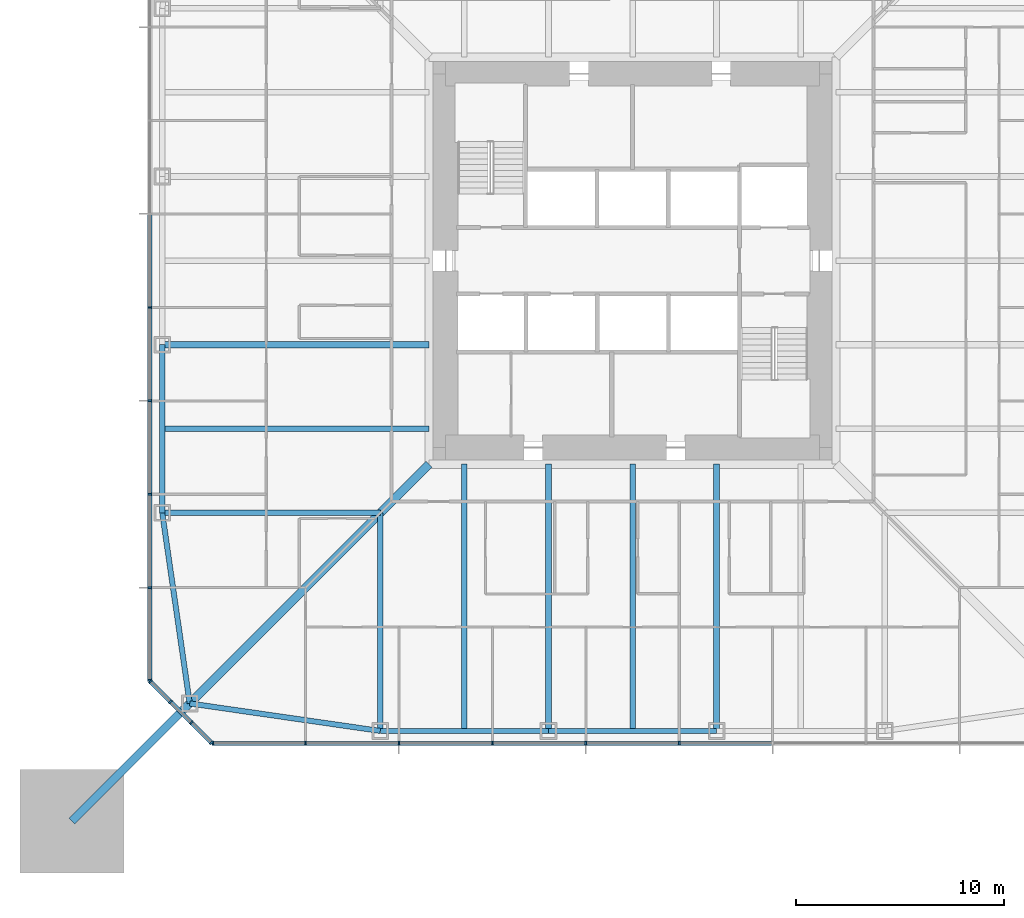
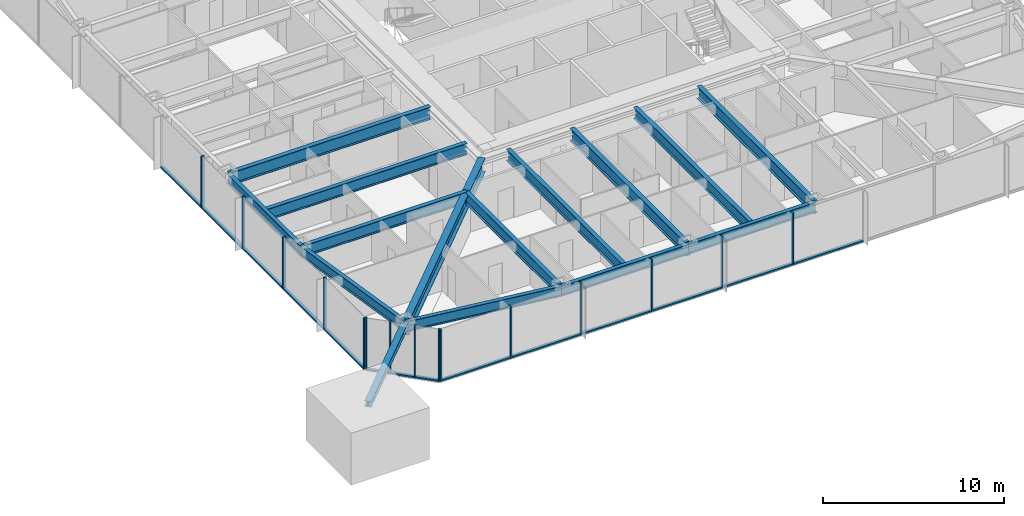
# One storey, part 3 of 26: 30 members, 14 beams, 3 elements without a shape of their own.
"""IFC4 building model written with IfcOpenShell, lengths in metres."""

from ifc_helpers import new_model, si_unit, direction, frame, origin, origin_2d, place, context, subcontext, project, spatial, rectangle, i_section, extrude, material, material_profile, profile_set, type_object, element, aggregate, save


model = new_model("IFC4")

# Units and contexts
model_context = context("Model", 3, precision=1e-05, world=origin(), true_north=direction((0.0, 1.0)))
body_context = subcontext(model_context, "Body", "Model", "MODEL_VIEW")
ifc_project = project(units=[si_unit("LENGTHUNIT", "METRE"), si_unit("AREAUNIT", "SQUARE_METRE"), si_unit("VOLUMEUNIT", "CUBIC_METRE"), si_unit("PLANEANGLEUNIT", "RADIAN"), si_unit("MASSUNIT", "GRAM", prefix="KILO")], contexts=[model_context])

# Site, building, storey
site_placement = place(None, origin())
site = spatial("IfcSite", under=ifc_project, at=site_placement, CompositionType="ELEMENT")
building_placement = place(site_placement, origin())
building = spatial("IfcBuilding", under=site, at=building_placement, Name="Iwan Alto Co-Living Towers", CompositionType="ELEMENT")
storey_placement = place(building_placement, frame((0.0, 0.0, 57.0)))
storey = spatial("IfcBuildingStorey", under=building, at=storey_placement, Name="L15", CompositionType="ELEMENT", Elevation=57.0)

# Curtain wall, members
ifc_material_1 = material(Name="Bronze aluminium unitised frame", Category="aluminium")
curtain_wall_type_1 = type_object("IfcCurtainWallType", Name="CURTAIN WALL CW-A", PredefinedType="NOTDEFINED", material=ifc_material_1)
curtain_wall_1_placement = place(storey_placement, origin())
curtain_wall_1 = element("IfcCurtainWall", 1, at=curtain_wall_1_placement, inside=storey, type_object=curtain_wall_type_1, Name="T1 curtain wall S L15", PredefinedType="NOTDEFINED")
ifc_material_2 = material(Name="Aluminium 6063-T6 bronze anodised", Category="aluminium")
ifc_material_profile_1 = material_profile(ifc_material_2, rectangle(XDim=0.199951171875, YDim=0.080078125, at=origin_2d()), Name="AL 80X200")
ifc_profile_set_1 = profile_set([ifc_material_profile_1], Name="Aluminium 6063-T6 bronze anodised")
member_type_1 = type_object("IfcMemberType", Name="CW-A MULLION 80X200", PredefinedType="MULLION", material=ifc_profile_set_1)
member_1_placement = place(storey_placement, frame((-20.2099609375, -23.25, 0.0), z_axis=(0.0, 0.0, 1.0), x_axis=(0.0, 1.0, 0.0)))
member_1 = element("IfcMember", 2, at=member_1_placement, type_object=member_type_1, Name="CW-A mullion 1", PredefinedType="MULLION", context=body_context, shape_type="SweptSolid", body=[
    extrude(rectangle(XDim=0.199951171875, YDim=0.080078125, at=origin_2d()), origin(), (0.0, 0.0, 1.0), 3.5),
])
member_2_placement = place(storey_placement, frame((-15.75, -23.25, 0.0), z_axis=(0.0, 0.0, 1.0), x_axis=(0.0, 1.0, 0.0)))
member_2 = element("IfcMember", 3, at=member_2_placement, type_object=member_type_1, Name="CW-A mullion 2", PredefinedType="MULLION", context=body_context, shape_type="SweptSolid", body=[
    extrude(rectangle(XDim=0.199951171875, YDim=0.080078125, at=origin_2d()), origin(), (0.0, 0.0, 1.0), 3.5),
])
member_3_placement = place(storey_placement, frame((-11.25, -23.25, 0.0), z_axis=(0.0, 0.0, 1.0), x_axis=(0.0, 1.0, 0.0)))
member_3 = element("IfcMember", 4, at=member_3_placement, type_object=member_type_1, Name="CW-A mullion 3", PredefinedType="MULLION", context=body_context, shape_type="SweptSolid", body=[
    extrude(rectangle(XDim=0.199951171875, YDim=0.080078125, at=origin_2d()), origin(), (0.0, 0.0, 1.0), 3.5),
])
member_4_placement = place(storey_placement, frame((-6.75, -23.25, 0.0), z_axis=(0.0, 0.0, 1.0), x_axis=(0.0, 1.0, 0.0)))
member_4 = element("IfcMember", 5, at=member_4_placement, type_object=member_type_1, Name="CW-A mullion 4", PredefinedType="MULLION", context=body_context, shape_type="SweptSolid", body=[
    extrude(rectangle(XDim=0.199951171875, YDim=0.080078125, at=origin_2d()), origin(), (0.0, 0.0, 1.0), 3.5),
])
member_5_placement = place(storey_placement, frame((-2.25, -23.25, 0.0), z_axis=(0.0, 0.0, 1.0), x_axis=(0.0, 1.0, 0.0)))
member_5 = element("IfcMember", 6, at=member_5_placement, type_object=member_type_1, Name="CW-A mullion 5", PredefinedType="MULLION", context=body_context, shape_type="SweptSolid", body=[
    extrude(rectangle(XDim=0.199951171875, YDim=0.080078125, at=origin_2d()), origin(), (0.0, 0.0, 1.0), 3.5),
])
member_6_placement = place(storey_placement, frame((2.25, -23.25, 0.0), z_axis=(0.0, 0.0, 1.0), x_axis=(0.0, 1.0, 0.0)))
member_6 = element("IfcMember", 7, at=member_6_placement, type_object=member_type_1, Name="CW-A mullion 6", PredefinedType="MULLION", context=body_context, shape_type="SweptSolid", body=[
    extrude(rectangle(XDim=0.199951171875, YDim=0.080078125, at=origin_2d()), origin(), (0.0, 0.0, 1.0), 3.5),
])

curtain_wall_2_placement = place(storey_placement, origin())
curtain_wall_2 = element("IfcCurtainWall", 8, at=curtain_wall_2_placement, inside=storey, type_object=curtain_wall_type_1, Name="T1 curtain wall W L15", PredefinedType="NOTDEFINED")
member_7_placement = place(storey_placement, frame((-23.25, -2.25, 0.0), z_axis=(0.0, 0.0, 1.0), x_axis=(1.0, 0.0, 0.0)))
member_7 = element("IfcMember", 9, at=member_7_placement, type_object=member_type_1, Name="CW-A mullion 6", PredefinedType="MULLION", context=body_context, shape_type="SweptSolid", body=[
    extrude(rectangle(XDim=0.199951171875, YDim=0.080078125, at=origin_2d()), origin(), (0.0, 0.0, 1.0), 3.5),
])
member_8_placement = place(storey_placement, frame((-23.25, -6.75, 0.0), z_axis=(0.0, 0.0, 1.0), x_axis=(1.0, 0.0, 0.0)))
member_8 = element("IfcMember", 10, at=member_8_placement, type_object=member_type_1, Name="CW-A mullion 7", PredefinedType="MULLION", context=body_context, shape_type="SweptSolid", body=[
    extrude(rectangle(XDim=0.199951171875, YDim=0.080078125, at=origin_2d()), origin(), (0.0, 0.0, 1.0), 3.5),
])
member_9_placement = place(storey_placement, frame((-23.25, -11.25, 0.0), z_axis=(0.0, 0.0, 1.0), x_axis=(1.0, 0.0, 0.0)))
member_9 = element("IfcMember", 11, at=member_9_placement, type_object=member_type_1, Name="CW-A mullion 8", PredefinedType="MULLION", context=body_context, shape_type="SweptSolid", body=[
    extrude(rectangle(XDim=0.199951171875, YDim=0.080078125, at=origin_2d()), origin(), (0.0, 0.0, 1.0), 3.5),
])
member_10_placement = place(storey_placement, frame((-23.25, -15.75, 0.0), z_axis=(0.0, 0.0, 1.0), x_axis=(1.0, 0.0, 0.0)))
member_10 = element("IfcMember", 12, at=member_10_placement, type_object=member_type_1, Name="CW-A mullion 9", PredefinedType="MULLION", context=body_context, shape_type="SweptSolid", body=[
    extrude(rectangle(XDim=0.199951171875, YDim=0.080078125, at=origin_2d()), origin(), (0.0, 0.0, 1.0), 3.5),
])
member_11_placement = place(storey_placement, frame((-23.25, -20.2099609375, 0.0), z_axis=(0.0, 0.0, 1.0), x_axis=(1.0, 0.0, 0.0)))
member_11 = element("IfcMember", 13, at=member_11_placement, type_object=member_type_1, Name="CW-A mullion 10", PredefinedType="MULLION", context=body_context, shape_type="SweptSolid", body=[
    extrude(rectangle(XDim=0.199951171875, YDim=0.080078125, at=origin_2d()), origin(), (0.0, 0.0, 1.0), 3.5),
])

# Member
ifc_material_3 = material(Name="Aluminium 6063-T6 bronze anodised", Category="aluminium")
ifc_material_profile_2 = material_profile(ifc_material_3, rectangle(XDim=0.199951171875, YDim=0.10009765625, at=origin_2d()), Name="AL 200X100")
ifc_profile_set_2 = profile_set([ifc_material_profile_2], Name="Aluminium 6063-T6 bronze anodised")
member_type_2 = type_object("IfcMemberType", Name="CW-A TRANSOM 200X100", PredefinedType="USERDEFINED", material=ifc_profile_set_2)
member_12_placement = place(storey_placement, frame((-20.169921875, -23.25, 0.050048828125), z_axis=(1.0, 0.0, 0.0), x_axis=(0.0, 1.0, 0.0)))
member_12 = element("IfcMember", 14, at=member_12_placement, type_object=member_type_2, Name="CW-A transom 1.1", ObjectType="TRANSOM", PredefinedType="USERDEFINED", context=body_context, shape_type="SweptSolid", body=[
    extrude(rectangle(XDim=0.199951171875, YDim=0.10009765625, at=origin_2d()), origin(), (0.0, 0.0, 1.0), 4.3798828125),
])

member_13_placement = place(storey_placement, frame((-15.7099609375, -23.25, 0.050048828125), z_axis=(1.0, 0.0, 0.0), x_axis=(0.0, 1.0, 0.0)))
member_13 = element("IfcMember", 15, at=member_13_placement, type_object=member_type_2, Name="CW-A transom 2.1", ObjectType="TRANSOM", PredefinedType="USERDEFINED", context=body_context, shape_type="SweptSolid", body=[
    extrude(rectangle(XDim=0.199951171875, YDim=0.10009765625, at=origin_2d()), origin(), (0.0, 0.0, 1.0), 4.419921875),
])

member_14_placement = place(storey_placement, frame((-11.2099609375, -23.25, 0.050048828125), z_axis=(1.0, 0.0, 0.0), x_axis=(0.0, 1.0, 0.0)))
member_14 = element("IfcMember", 16, at=member_14_placement, type_object=member_type_2, Name="CW-A transom 3.1", ObjectType="TRANSOM", PredefinedType="USERDEFINED", context=body_context, shape_type="SweptSolid", body=[
    extrude(rectangle(XDim=0.199951171875, YDim=0.10009765625, at=origin_2d()), origin(), (0.0, 0.0, 1.0), 4.419921875),
])

member_15_placement = place(storey_placement, frame((-6.7099609375, -23.25, 0.050048828125), z_axis=(1.0, 0.0, 0.0), x_axis=(0.0, 1.0, 0.0)))
member_15 = element("IfcMember", 17, at=member_15_placement, type_object=member_type_2, Name="CW-A transom 4.1", ObjectType="TRANSOM", PredefinedType="USERDEFINED", context=body_context, shape_type="SweptSolid", body=[
    extrude(rectangle(XDim=0.199951171875, YDim=0.10009765625, at=origin_2d()), origin(), (0.0, 0.0, 1.0), 4.419921875),
])

member_16_placement = place(storey_placement, frame((-2.2099609375, -23.25, 0.050048828125), z_axis=(1.0, 0.0, 0.0), x_axis=(0.0, 1.0, 0.0)))
member_16 = element("IfcMember", 18, at=member_16_placement, type_object=member_type_2, Name="CW-A transom 5.1", ObjectType="TRANSOM", PredefinedType="USERDEFINED", context=body_context, shape_type="SweptSolid", body=[
    extrude(rectangle(XDim=0.199951171875, YDim=0.10009765625, at=origin_2d()), origin(), (0.0, 0.0, 1.0), 4.419921875),
])

member_17_placement = place(storey_placement, frame((2.2900390625, -23.25, 0.050048828125), z_axis=(1.0, 0.0, 0.0), x_axis=(0.0, 1.0, 0.0)))
member_17 = element("IfcMember", 19, at=member_17_placement, type_object=member_type_2, Name="CW-A transom 6.1", ObjectType="TRANSOM", PredefinedType="USERDEFINED", context=body_context, shape_type="SweptSolid", body=[
    extrude(rectangle(XDim=0.199951171875, YDim=0.10009765625, at=origin_2d()), origin(), (0.0, 0.0, 1.0), 4.419921875),
])

aggregate(curtain_wall_1, [member_1, member_2, member_3, member_4, member_5, member_6, member_12, member_13, member_14, member_15, member_16, member_17])

member_18_placement = place(storey_placement, frame((-23.25, 2.2099609375, 0.050048828125), z_axis=(0.0, -1.0, 0.0), x_axis=(1.0, 0.0, 0.0)))
member_18 = element("IfcMember", 20, at=member_18_placement, type_object=member_type_2, Name="CW-A transom 5.1", ObjectType="TRANSOM", PredefinedType="USERDEFINED", context=body_context, shape_type="SweptSolid", body=[
    extrude(rectangle(XDim=0.199951171875, YDim=0.10009765625, at=origin_2d()), origin(), (0.0, 0.0, 1.0), 4.419921875),
])

member_19_placement = place(storey_placement, frame((-23.25, -2.2900390625, 0.050048828125), z_axis=(0.0, -1.0, 0.0), x_axis=(1.0, 0.0, 0.0)))
member_19 = element("IfcMember", 21, at=member_19_placement, type_object=member_type_2, Name="CW-A transom 6.1", ObjectType="TRANSOM", PredefinedType="USERDEFINED", context=body_context, shape_type="SweptSolid", body=[
    extrude(rectangle(XDim=0.199951171875, YDim=0.10009765625, at=origin_2d()), origin(), (0.0, 0.0, 1.0), 4.419921875),
])

member_20_placement = place(storey_placement, frame((-23.25, -6.7900390625, 0.050048828125), z_axis=(0.0, -1.0, 0.0), x_axis=(1.0, 0.0, 0.0)))
member_20 = element("IfcMember", 22, at=member_20_placement, type_object=member_type_2, Name="CW-A transom 7.1", ObjectType="TRANSOM", PredefinedType="USERDEFINED", context=body_context, shape_type="SweptSolid", body=[
    extrude(rectangle(XDim=0.199951171875, YDim=0.10009765625, at=origin_2d()), origin(), (0.0, 0.0, 1.0), 4.419921875),
])

member_21_placement = place(storey_placement, frame((-23.25, -11.2900390625, 0.050048828125), z_axis=(0.0, -1.0, 0.0), x_axis=(1.0, 0.0, 0.0)))
member_21 = element("IfcMember", 23, at=member_21_placement, type_object=member_type_2, Name="CW-A transom 8.1", ObjectType="TRANSOM", PredefinedType="USERDEFINED", context=body_context, shape_type="SweptSolid", body=[
    extrude(rectangle(XDim=0.199951171875, YDim=0.10009765625, at=origin_2d()), origin(), (0.0, 0.0, 1.0), 4.419921875),
])

member_22_placement = place(storey_placement, frame((-23.25, -15.7900390625, 0.050048828125), z_axis=(0.0, -1.0, 0.0), x_axis=(1.0, 0.0, 0.0)))
member_22 = element("IfcMember", 24, at=member_22_placement, type_object=member_type_2, Name="CW-A transom 9.1", ObjectType="TRANSOM", PredefinedType="USERDEFINED", context=body_context, shape_type="SweptSolid", body=[
    extrude(rectangle(XDim=0.199951171875, YDim=0.10009765625, at=origin_2d()), origin(), (0.0, 0.0, 1.0), 4.3798828125),
])

aggregate(curtain_wall_2, [member_7, member_8, member_9, member_10, member_11, member_18, member_19, member_20, member_21, member_22])

# Curtain wall, members
ifc_material_4 = material(Name="Bronze aluminium unitised frame", Category="aluminium")
curtain_wall_type_2 = type_object("IfcCurtainWallType", Name="CURTAIN WALL CW-B", PredefinedType="NOTDEFINED", material=ifc_material_4)
curtain_wall_3_placement = place(storey_placement, origin())
curtain_wall_3 = element("IfcCurtainWall", 25, at=curtain_wall_3_placement, inside=storey, type_object=curtain_wall_type_2, Name="T1 chamfer curtain wall SW L15", PredefinedType="NOTDEFINED")
ifc_material_5 = material(Name="Aluminium 6063-T6 bronze anodised", Category="aluminium")
ifc_material_profile_3 = material_profile(ifc_material_5, rectangle(XDim=0.199951171875, YDim=0.080078125, at=origin_2d()), Name="AL 80X200")
ifc_profile_set_3 = profile_set([ifc_material_profile_3], Name="Aluminium 6063-T6 bronze anodised")
member_type_3 = type_object("IfcMemberType", Name="CW-B MULLION 80X200", PredefinedType="MULLION", material=ifc_profile_set_3)
member_23_placement = place(storey_placement, frame((-23.2216796875, -20.2783203125, 0.0), z_axis=(0.0, 0.0, 1.0), x_axis=(0.707106781187, 0.707106781187, 0.0)))
member_23 = element("IfcMember", 26, at=member_23_placement, type_object=member_type_3, Name="CW-B mullion 1", PredefinedType="MULLION", context=body_context, shape_type="SweptSolid", body=[
    extrude(rectangle(XDim=0.199951171875, YDim=0.080078125, at=origin_2d()), origin(), (0.0, 0.0, 1.0), 3.5),
])
member_24_placement = place(storey_placement, frame((-22.25, -21.25, 0.0), z_axis=(0.0, 0.0, 1.0), x_axis=(0.707106781187, 0.707106781187, 0.0)))
member_24 = element("IfcMember", 27, at=member_24_placement, type_object=member_type_3, Name="CW-B mullion 2", PredefinedType="MULLION", context=body_context, shape_type="SweptSolid", body=[
    extrude(rectangle(XDim=0.199951171875, YDim=0.080078125, at=origin_2d()), origin(), (0.0, 0.0, 1.0), 3.5),
])
member_25_placement = place(storey_placement, frame((-21.25, -22.25, 0.0), z_axis=(0.0, 0.0, 1.0), x_axis=(0.707106781187, 0.707106781187, 0.0)))
member_25 = element("IfcMember", 28, at=member_25_placement, type_object=member_type_3, Name="CW-B mullion 3", PredefinedType="MULLION", context=body_context, shape_type="SweptSolid", body=[
    extrude(rectangle(XDim=0.199951171875, YDim=0.080078125, at=origin_2d()), origin(), (0.0, 0.0, 1.0), 3.5),
])
member_26_placement = place(storey_placement, frame((-20.2783203125, -23.2216796875, 0.0), z_axis=(0.0, 0.0, 1.0), x_axis=(0.707106781187, 0.707106781187, 0.0)))
member_26 = element("IfcMember", 29, at=member_26_placement, type_object=member_type_3, Name="CW-B mullion 4", PredefinedType="MULLION", context=body_context, shape_type="SweptSolid", body=[
    extrude(rectangle(XDim=0.199951171875, YDim=0.080078125, at=origin_2d()), origin(), (0.0, 0.0, 1.0), 3.5),
])
ifc_material_6 = material(Name="Aluminium 6063-T6 bronze anodised", Category="aluminium")
ifc_material_profile_4 = material_profile(ifc_material_6, rectangle(XDim=0.199951171875, YDim=0.10009765625, at=origin_2d()), Name="AL 200X100")
ifc_profile_set_4 = profile_set([ifc_material_profile_4], Name="Aluminium 6063-T6 bronze anodised")
member_type_4 = type_object("IfcMemberType", Name="CW-B TRANSOM 200X100", PredefinedType="USERDEFINED", material=ifc_profile_set_4)
member_27_placement = place(storey_placement, frame((-23.193359375, -20.306640625, 0.050048828125), z_axis=(0.707106781187, -0.707106781187, 0.0), x_axis=(0.707106781187, 0.707106781187, 0.0)))
member_27 = element("IfcMember", 30, at=member_27_placement, type_object=member_type_4, Name="CW-B transom 1.1", ObjectType="TRANSOM", PredefinedType="USERDEFINED", context=body_context, shape_type="SweptSolid", body=[
    extrude(rectangle(XDim=0.199951171875, YDim=0.10009765625, at=origin_2d()), origin(), (0.0, 0.0, 1.0), 1.2939453125),
])
member_28_placement = place(storey_placement, frame((-22.2216796875, -21.2783203125, 0.050048828125), z_axis=(0.707106781187, -0.707106781187, 0.0), x_axis=(0.707106781187, 0.707106781187, 0.0)))
member_28 = element("IfcMember", 31, at=member_28_placement, type_object=member_type_4, Name="CW-B transom 2.1", ObjectType="TRANSOM", PredefinedType="USERDEFINED", context=body_context, shape_type="SweptSolid", body=[
    extrude(rectangle(XDim=0.199951171875, YDim=0.10009765625, at=origin_2d()), origin(), (0.0, 0.0, 1.0), 1.334228515625),
])
member_29_placement = place(storey_placement, frame((-21.2216796875, -22.2783203125, 0.050048828125), z_axis=(0.707106781187, -0.707106781187, 0.0), x_axis=(0.707106781187, 0.707106781187, 0.0)))
member_29 = element("IfcMember", 32, at=member_29_placement, type_object=member_type_4, Name="CW-B transom 3.1", ObjectType="TRANSOM", PredefinedType="USERDEFINED", context=body_context, shape_type="SweptSolid", body=[
    extrude(rectangle(XDim=0.199951171875, YDim=0.10009765625, at=origin_2d()), origin(), (0.0, 0.0, 1.0), 1.2939453125),
])
aggregate(curtain_wall_3, [member_23, member_24, member_25, member_26, member_27, member_28, member_29])

# Beams
ifc_material_7 = material(Name="Steel ASTM A992 Gr 50", Category="steel")
ifc_material_profile_5 = material_profile(ifc_material_7, i_section(OverallWidth=0.419189453125, OverallDepth=0.927001953125, WebThickness=0.019287109375, FlangeThickness=0.031982421875, at=origin_2d()), Name="W36X231")
ifc_profile_set_5 = profile_set([ifc_material_profile_5], Name="Steel ASTM A992 Gr 50")
beam_type_1 = type_object("IfcBeamType", Name="T1 CORNER GIRDER W36X231", PredefinedType="BEAM", material=ifc_profile_set_5)
beam_1_placement = place(storey_placement, frame((-21.32568359375, -21.32568359375, 2.806396484375), z_axis=(0.707106781187, 0.707106781187, 0.0), x_axis=(-0.707106781187, 0.707106781187, 0.0)))
element("IfcBeam", 33, at=beam_1_placement, inside=storey, type_object=beam_type_1, Name="T1 corner girder CSW L16", PredefinedType="BEAM", context=body_context, shape_type="SweptSolid", body=[
    extrude(i_section(OverallWidth=0.419189453125, OverallDepth=0.927001953125, WebThickness=0.019287109375, FlangeThickness=0.031982421875, at=origin_2d()), origin(), (0.0, 0.0, 1.0), 16.30078125),
])
ifc_material_8 = material(Name="Steel ASTM A992 Gr 50", Category="steel")
ifc_material_profile_6 = material_profile(ifc_material_8, i_section(OverallWidth=0.25390625, OverallDepth=0.683349609375, WebThickness=0.012451171875, FlangeThickness=0.018798828125, at=origin_2d()), Name="W27X94")
ifc_profile_set_6 = profile_set([ifc_material_profile_6], Name="Steel ASTM A992 Gr 50")
beam_type_2 = type_object("IfcBeamType", Name="T1 EDGE BEAM W27X94", PredefinedType="BEAM", material=ifc_profile_set_6)
beam_2_placement = place(storey_placement, frame((-21.32568359375, -21.32568359375, 2.928466796875), z_axis=(0.989746234347, -0.142836940589, 0.0), x_axis=(0.142836940589, 0.989746234347, 0.0)))
element("IfcBeam", 34, at=beam_2_placement, inside=storey, type_object=beam_type_2, Name="T1 edge beam CSW L16", PredefinedType="BEAM", context=body_context, shape_type="SweptSolid", body=[
    extrude(i_section(OverallWidth=0.25390625, OverallDepth=0.683349609375, WebThickness=0.012451171875, FlangeThickness=0.018798828125, at=origin_2d()), origin(), (0.0, 0.0, 1.0), 9.270751953125),
])
beam_3_placement = place(storey_placement, frame((-12.14990234375, -22.64990234375, 2.928466796875), z_axis=(1.0, 0.0, 0.0), x_axis=(0.0, 1.0, 0.0)))
element("IfcBeam", 35, at=beam_3_placement, inside=storey, type_object=beam_type_2, Name="T1 edge beam S1 L16", PredefinedType="BEAM", context=body_context, shape_type="SweptSolid", body=[
    extrude(i_section(OverallWidth=0.25390625, OverallDepth=0.683349609375, WebThickness=0.012451171875, FlangeThickness=0.018798828125, at=origin_2d()), origin(), (0.0, 0.0, 1.0), 8.099853515625),
])
beam_4_placement = place(storey_placement, frame((-4.050048828125, -22.64990234375, 2.928466796875), z_axis=(1.0, 0.0, 0.0), x_axis=(0.0, 1.0, 0.0)))
element("IfcBeam", 36, at=beam_4_placement, inside=storey, type_object=beam_type_2, Name="T1 edge beam S2 L16", PredefinedType="BEAM", context=body_context, shape_type="SweptSolid", body=[
    extrude(i_section(OverallWidth=0.25390625, OverallDepth=0.683349609375, WebThickness=0.012451171875, FlangeThickness=0.018798828125, at=origin_2d()), origin(), (0.0, 0.0, 1.0), 8.10009765625),
])
beam_5_placement = place(storey_placement, frame((-22.64990234375, -4.050048828125, 2.928466796875), z_axis=(0.0, -1.0, 0.0), x_axis=(1.0, 0.0, 0.0)))
element("IfcBeam", 37, at=beam_5_placement, inside=storey, type_object=beam_type_2, Name="T1 edge beam W3 L16", PredefinedType="BEAM", context=body_context, shape_type="SweptSolid", body=[
    extrude(i_section(OverallWidth=0.25390625, OverallDepth=0.683349609375, WebThickness=0.012451171875, FlangeThickness=0.018798828125, at=origin_2d()), origin(), (0.0, 0.0, 1.0), 8.099853515625),
])
beam_6_placement = place(storey_placement, frame((-22.64990234375, -12.14990234375, 2.928466796875), z_axis=(0.142836940589, -0.989746234347, 0.0), x_axis=(0.989746234347, 0.142836940589, 0.0)))
element("IfcBeam", 38, at=beam_6_placement, inside=storey, type_object=beam_type_2, Name="T1 edge beam W4 L16", PredefinedType="BEAM", context=body_context, shape_type="SweptSolid", body=[
    extrude(i_section(OverallWidth=0.25390625, OverallDepth=0.683349609375, WebThickness=0.012451171875, FlangeThickness=0.018798828125, at=origin_2d()), origin(), (0.0, 0.0, 1.0), 9.270751953125),
])

# Member
ifc_material_9 = material(Name="Steel ASTM A992 Gr 50", Category="steel")
ifc_material_profile_7 = material_profile(ifc_material_9, i_section(OverallWidth=0.393798828125, OverallDepth=0.3759765625, WebThickness=0.017333984375, FlangeThickness=0.027587890625, at=origin_2d()), Name="W14X145")
ifc_profile_set_7 = profile_set([ifc_material_profile_7], Name="Steel ASTM A992 Gr 50")
member_type_5 = type_object("IfcMemberType", Name="T1 MEGA COLUMN FLOOR TIE W14X145", PredefinedType="STRUT", material=ifc_profile_set_7)
member_30_placement = place(storey_placement, frame((-27.0, -27.0, 3.08203125), z_axis=(0.707106781187, 0.707106781187, 0.0), x_axis=(-0.707106781187, 0.707106781187, 0.0)))
element("IfcMember", 39, at=member_30_placement, inside=storey, type_object=member_type_5, Name="T1 mega column floor tie SW L16", PredefinedType="STRUT", context=body_context, shape_type="SweptSolid", body=[
    extrude(i_section(OverallWidth=0.393798828125, OverallDepth=0.3759765625, WebThickness=0.017333984375, FlangeThickness=0.027587890625, at=origin_2d()), origin(), (0.0, 0.0, 1.0), 8.024658203125),
])

# Beams
ifc_material_10 = material(Name="Steel ASTM A992 Gr 50", Category="steel")
ifc_material_profile_8 = material_profile(ifc_material_10, i_section(OverallWidth=0.2666015625, OverallDepth=0.761962890625, WebThickness=0.014404296875, FlangeThickness=0.021484375, at=origin_2d()), Name="W30X116")
ifc_profile_set_8 = profile_set([ifc_material_profile_8], Name="Steel ASTM A992 Gr 50")
beam_type_3 = type_object("IfcBeamType", Name="T1 RADIAL BEAM W30X116", PredefinedType="BEAM", material=ifc_profile_set_8)
for number, where, z_axis, x_axis, name in (
    (40, (-12.14990234375, -22.64990234375, 2.888916015625), (0.0, 1.0, 0.0), (-1.0, 0.0, 0.0), "T1 radial beam S1 L16"),
    (41, (-22.64990234375, -12.14990234375, 2.888916015625), (1.0, 0.0, 0.0), (0.0, 1.0, 0.0), "T1 radial beam W4 L16"),
):
    element("IfcBeam", number, at=place(storey_placement, frame(where, z_axis=z_axis, x_axis=x_axis)), inside=storey, type_object=beam_type_3, Name=name, PredefinedType="BEAM", context=body_context, shape_type="SweptSolid", body=[
        extrude(i_section(OverallWidth=0.2666015625, OverallDepth=0.761962890625, WebThickness=0.014404296875, FlangeThickness=0.021484375, at=origin_2d()), origin(), (0.0, 0.0, 1.0), 10.5),
    ])
ifc_material_11 = material(Name="Steel ASTM A992 Gr 50", Category="steel")
ifc_material_profile_9 = material_profile(ifc_material_11, i_section(OverallWidth=0.2919921875, OverallDepth=0.8408203125, WebThickness=0.0146484375, FlangeThickness=0.021728515625, at=origin_2d()), Name="W33X130")
ifc_profile_set_9 = profile_set([ifc_material_profile_9], Name="Steel ASTM A992 Gr 50")
beam_type_4 = type_object("IfcBeamType", Name="T1 RADIAL BEAM W33X130", PredefinedType="BEAM", material=ifc_profile_set_9)
for number, where, z_axis, x_axis, name in (
    (42, (-4.050048828125, -22.64990234375, 2.849609375), (0.0, 1.0, 0.0), (-1.0, 0.0, 0.0), "T1 radial beam S2 L16"),
    (43, (4.050048828125, -22.64990234375, 2.849609375), (0.0, 1.0, 0.0), (-1.0, 0.0, 0.0), "T1 radial beam S3 L16"),
    (44, (-22.64990234375, -4.050048828125, 2.849609375), (1.0, 0.0, 0.0), (0.0, 1.0, 0.0), "T1 radial beam W3 L16"),
):
    element("IfcBeam", number, at=place(storey_placement, frame(where, z_axis=z_axis, x_axis=x_axis)), inside=storey, type_object=beam_type_4, Name=name, PredefinedType="BEAM", context=body_context, shape_type="SweptSolid", body=[
        extrude(i_section(OverallWidth=0.2919921875, OverallDepth=0.8408203125, WebThickness=0.0146484375, FlangeThickness=0.021728515625, at=origin_2d()), origin(), (0.0, 0.0, 1.0), 12.8505859375),
    ])
ifc_material_12 = material(Name="Steel ASTM A992 Gr 50", Category="steel")
ifc_material_profile_10 = material_profile(ifc_material_12, i_section(OverallWidth=0.2666015625, OverallDepth=0.761962890625, WebThickness=0.014404296875, FlangeThickness=0.021484375, at=origin_2d()), Name="W30X116")
ifc_profile_set_10 = profile_set([ifc_material_profile_10], Name="Steel ASTM A992 Gr 50")
beam_type_5 = type_object("IfcBeamType", Name="T1 SECONDARY BEAM W30X116", PredefinedType="JOIST", material=ifc_profile_set_10)
for number, where, z_axis, x_axis, name in (
    (45, (-8.10009765625, -22.64990234375, 2.888916015625), (0.0, 1.0, 0.0), (-1.0, 0.0, 0.0), "T1 secondary beam S1 L16"),
    (46, (0.0, -22.64990234375, 2.888916015625), (0.0, 1.0, 0.0), (-1.0, 0.0, 0.0), "T1 secondary beam S2 L16"),
    (47, (-22.64990234375, -8.10009765625, 2.888916015625), (1.0, 0.0, 0.0), (0.0, 1.0, 0.0), "T1 secondary beam W3 L16"),
):
    element("IfcBeam", number, at=place(storey_placement, frame(where, z_axis=z_axis, x_axis=x_axis)), inside=storey, type_object=beam_type_5, Name=name, PredefinedType="JOIST", context=body_context, shape_type="SweptSolid", body=[
        extrude(i_section(OverallWidth=0.2666015625, OverallDepth=0.761962890625, WebThickness=0.014404296875, FlangeThickness=0.021484375, at=origin_2d()), origin(), (0.0, 0.0, 1.0), 12.8505859375),
    ])

save(model, "model.ifc")
